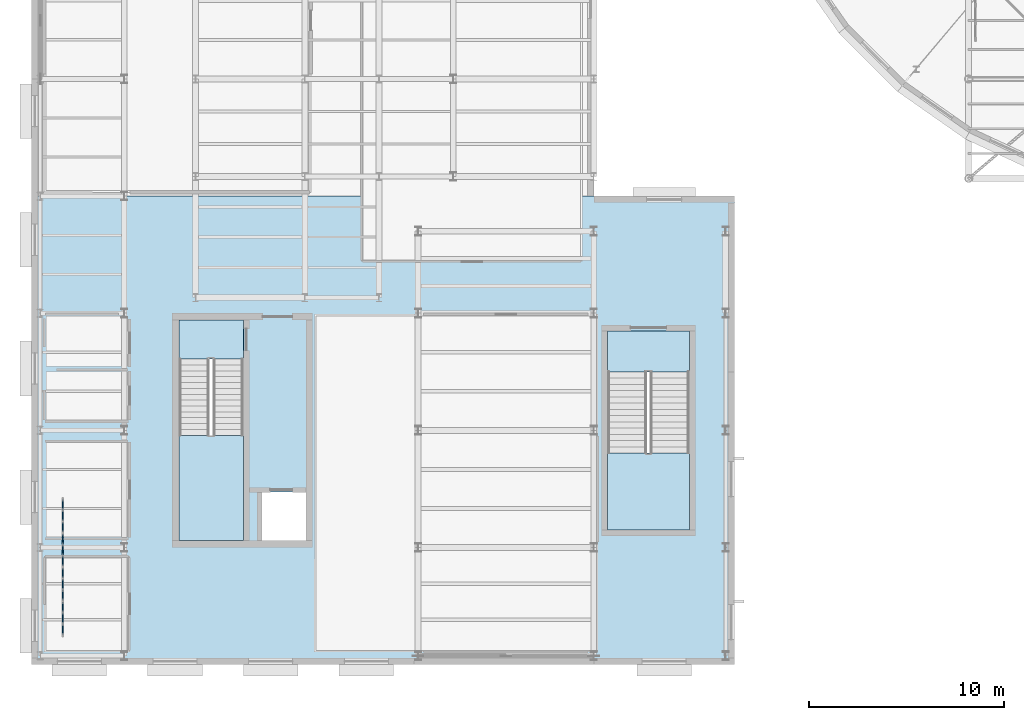
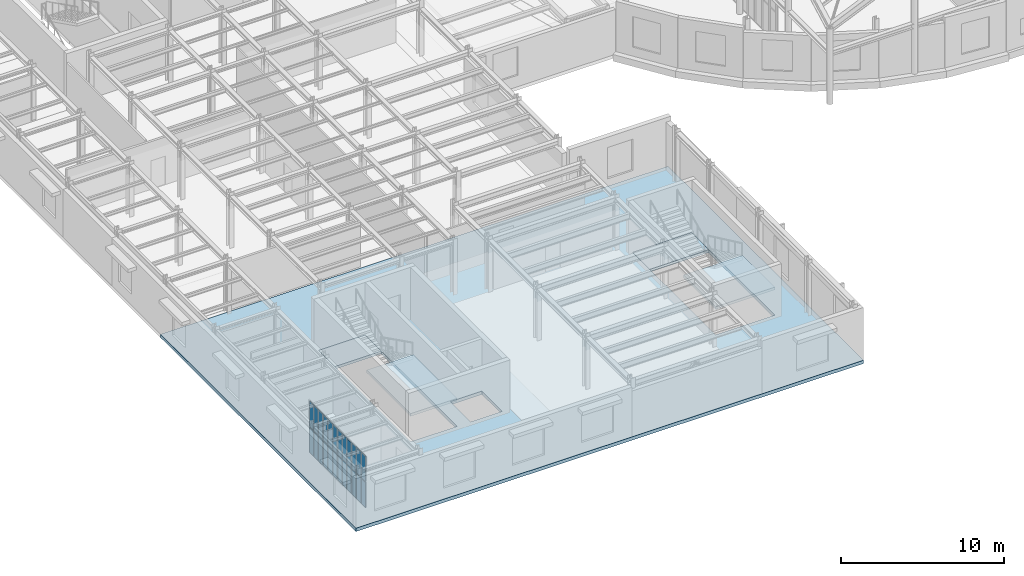
# One storey, part 50 of 75: 24 plates, 5 slabs, 6 elements without a shape of their own.
"""IFC4 building model written with IfcOpenShell, lengths in metres."""

from ifc_helpers import new_model, si_unit, direction, frame, origin, origin_2d, place, context, subcontext, project, spatial, polyline, rectangle, outline, extrude, material, layer, layer_set, type_object, element, aggregate, save


model = new_model("IFC4")

# Units and contexts
model_context = context("Model", 3, precision=1e-05, world=origin(), true_north=direction((0.0, 1.0)))
body_context = subcontext(model_context, "Body", "Model", "MODEL_VIEW")
ifc_project = project(units=[si_unit("LENGTHUNIT", "METRE"), si_unit("AREAUNIT", "SQUARE_METRE"), si_unit("VOLUMEUNIT", "CUBIC_METRE"), si_unit("PLANEANGLEUNIT", "RADIAN"), si_unit("MASSUNIT", "GRAM", prefix="KILO")], contexts=[model_context])

# Site, building, storey
site_placement = place(None, origin())
site = spatial("IfcSite", under=ifc_project, at=site_placement, CompositionType="ELEMENT")
building_placement = place(site_placement, origin())
building = spatial("IfcBuilding", under=site, at=building_placement, Name="Kolvaren Corner Interchange", CompositionType="ELEMENT")
storey_placement = place(building_placement, frame((0.0, 0.0, 10.5)))
storey = spatial("IfcBuildingStorey", under=building, at=storey_placement, Name="L03", CompositionType="ELEMENT", Elevation=10.5)

# Curtain wall, plates
ifc_material_1 = material(Name="Unitised Aluminium and Solar-Control Glass Curtain Wall", Category="aluminium")
curtain_wall_type = type_object("IfcCurtainWallType", Name="CW-V5-LOGGIA", PredefinedType="NOTDEFINED", material=ifc_material_1)
curtain_wall_1_placement = place(storey_placement, origin())
curtain_wall_1 = element("IfcCurtainWall", 1, at=curtain_wall_1_placement, inside=storey, type_object=curtain_wall_type, Name="Corner Loggia L03 Curtain Wall Bay 01", PredefinedType="NOTDEFINED")
ifc_material_2 = material(Name="Insulated Terracotta Spandrel Panel", Category="masonry")
ifc_layer_1 = layer(ifc_material_2, 0.052001953125)
ifc_layer_set_1 = layer_set([ifc_layer_1], Name="Insulated Terracotta Spandrel Panel")
plate_type = type_object("IfcPlateType", Name="PLT-CW-SP48", PredefinedType="SHEET", material=ifc_layer_set_1)
plate_1_placement = place(storey_placement, frame((1.60009765625, 1.806640625, 0.054931640625), z_axis=(0.0, 0.0, 1.0), x_axis=(0.0, 1.0, 0.0)))
plate_1 = element("IfcPlate", 2, at=plate_1_placement, type_object=plate_type, Name="CW-158 panel 1.1", PredefinedType="CURTAIN_PANEL", context=body_context, shape_type="SweptSolid", body=[
    extrude(rectangle(XDim=0.493408203125, YDim=0.052001953125, at=origin_2d()), origin(), (0.0, 0.0, 1.0), 1.87744140625),
])
plate_2_placement = place(storey_placement, frame((1.60009765625, 1.806640625, 1.987548828125), z_axis=(0.0, 0.0, 1.0), x_axis=(0.0, 1.0, 0.0)))
plate_2 = element("IfcPlate", 3, at=plate_2_placement, type_object=plate_type, Name="CW-158 panel 1.2", PredefinedType="CURTAIN_PANEL", context=body_context, shape_type="SweptSolid", body=[
    extrude(rectangle(XDim=0.493408203125, YDim=0.052001953125, at=origin_2d()), origin(), (0.0, 0.0, 1.0), 1.87744140625),
])
plate_3_placement = place(storey_placement, frame((1.60009765625, 2.375, 0.054931640625), z_axis=(0.0, 0.0, 1.0), x_axis=(0.0, 1.0, 0.0)))
plate_3 = element("IfcPlate", 4, at=plate_3_placement, type_object=plate_type, Name="CW-158 panel 2.1", PredefinedType="CURTAIN_PANEL", context=body_context, shape_type="SweptSolid", body=[
    extrude(rectangle(XDim=0.5234375, YDim=0.052001953125, at=origin_2d()), origin(), (0.0, 0.0, 1.0), 1.87744140625),
])
plate_4_placement = place(storey_placement, frame((1.60009765625, 2.375, 1.987548828125), z_axis=(0.0, 0.0, 1.0), x_axis=(0.0, 1.0, 0.0)))
plate_4 = element("IfcPlate", 5, at=plate_4_placement, type_object=plate_type, Name="CW-158 panel 2.2", PredefinedType="CURTAIN_PANEL", context=body_context, shape_type="SweptSolid", body=[
    extrude(rectangle(XDim=0.5234375, YDim=0.052001953125, at=origin_2d()), origin(), (0.0, 0.0, 1.0), 1.87744140625),
])
plate_5_placement = place(storey_placement, frame((1.60009765625, 2.943359375, 0.054931640625), z_axis=(0.0, 0.0, 1.0), x_axis=(0.0, 1.0, 0.0)))
plate_5 = element("IfcPlate", 6, at=plate_5_placement, type_object=plate_type, Name="CW-158 panel 3.1", PredefinedType="CURTAIN_PANEL", context=body_context, shape_type="SweptSolid", body=[
    extrude(rectangle(XDim=0.493408203125, YDim=0.052001953125, at=origin_2d()), origin(), (0.0, 0.0, 1.0), 1.87744140625),
])
plate_6_placement = place(storey_placement, frame((1.60009765625, 2.943359375, 1.987548828125), z_axis=(0.0, 0.0, 1.0), x_axis=(0.0, 1.0, 0.0)))
plate_6 = element("IfcPlate", 7, at=plate_6_placement, type_object=plate_type, Name="CW-158 panel 3.2", PredefinedType="CURTAIN_PANEL", context=body_context, shape_type="SweptSolid", body=[
    extrude(rectangle(XDim=0.493408203125, YDim=0.052001953125, at=origin_2d()), origin(), (0.0, 0.0, 1.0), 1.87744140625),
])
aggregate(curtain_wall_1, [plate_1, plate_2, plate_3, plate_4, plate_5, plate_6])

curtain_wall_2_placement = place(storey_placement, origin())
curtain_wall_2 = element("IfcCurtainWall", 8, at=curtain_wall_2_placement, inside=storey, type_object=curtain_wall_type, Name="Corner Loggia L03 Curtain Wall Bay 02", PredefinedType="NOTDEFINED")
plate_7_placement = place(storey_placement, frame((1.60009765625, 3.556640625, 0.054931640625), z_axis=(0.0, 0.0, 1.0), x_axis=(0.0, 1.0, 0.0)))
plate_7 = element("IfcPlate", 9, at=plate_7_placement, type_object=plate_type, Name="CW-159 panel 1.1", PredefinedType="CURTAIN_PANEL", context=body_context, shape_type="SweptSolid", body=[
    extrude(rectangle(XDim=0.493408203125, YDim=0.052001953125, at=origin_2d()), origin(), (0.0, 0.0, 1.0), 1.87744140625),
])
plate_8_placement = place(storey_placement, frame((1.60009765625, 3.556640625, 1.987548828125), z_axis=(0.0, 0.0, 1.0), x_axis=(0.0, 1.0, 0.0)))
plate_8 = element("IfcPlate", 10, at=plate_8_placement, type_object=plate_type, Name="CW-159 panel 1.2", PredefinedType="CURTAIN_PANEL", context=body_context, shape_type="SweptSolid", body=[
    extrude(rectangle(XDim=0.493408203125, YDim=0.052001953125, at=origin_2d()), origin(), (0.0, 0.0, 1.0), 1.87744140625),
])
plate_9_placement = place(storey_placement, frame((1.60009765625, 4.125, 0.054931640625), z_axis=(0.0, 0.0, 1.0), x_axis=(0.0, 1.0, 0.0)))
plate_9 = element("IfcPlate", 11, at=plate_9_placement, type_object=plate_type, Name="CW-159 panel 2.1", PredefinedType="CURTAIN_PANEL", context=body_context, shape_type="SweptSolid", body=[
    extrude(rectangle(XDim=0.5234375, YDim=0.052001953125, at=origin_2d()), origin(), (0.0, 0.0, 1.0), 1.87744140625),
])
plate_10_placement = place(storey_placement, frame((1.60009765625, 4.125, 1.987548828125), z_axis=(0.0, 0.0, 1.0), x_axis=(0.0, 1.0, 0.0)))
plate_10 = element("IfcPlate", 12, at=plate_10_placement, type_object=plate_type, Name="CW-159 panel 2.2", PredefinedType="CURTAIN_PANEL", context=body_context, shape_type="SweptSolid", body=[
    extrude(rectangle(XDim=0.5234375, YDim=0.052001953125, at=origin_2d()), origin(), (0.0, 0.0, 1.0), 1.87744140625),
])
plate_11_placement = place(storey_placement, frame((1.60009765625, 4.693359375, 0.054931640625), z_axis=(0.0, 0.0, 1.0), x_axis=(0.0, 1.0, 0.0)))
plate_11 = element("IfcPlate", 13, at=plate_11_placement, type_object=plate_type, Name="CW-159 panel 3.1", PredefinedType="CURTAIN_PANEL", context=body_context, shape_type="SweptSolid", body=[
    extrude(rectangle(XDim=0.493408203125, YDim=0.052001953125, at=origin_2d()), origin(), (0.0, 0.0, 1.0), 1.87744140625),
])
plate_12_placement = place(storey_placement, frame((1.60009765625, 4.693359375, 1.987548828125), z_axis=(0.0, 0.0, 1.0), x_axis=(0.0, 1.0, 0.0)))
plate_12 = element("IfcPlate", 14, at=plate_12_placement, type_object=plate_type, Name="CW-159 panel 3.2", PredefinedType="CURTAIN_PANEL", context=body_context, shape_type="SweptSolid", body=[
    extrude(rectangle(XDim=0.493408203125, YDim=0.052001953125, at=origin_2d()), origin(), (0.0, 0.0, 1.0), 1.87744140625),
])
aggregate(curtain_wall_2, [plate_7, plate_8, plate_9, plate_10, plate_11, plate_12])

curtain_wall_3_placement = place(storey_placement, origin())
curtain_wall_3 = element("IfcCurtainWall", 15, at=curtain_wall_3_placement, inside=storey, type_object=curtain_wall_type, Name="Corner Loggia L03 Curtain Wall Bay 03", PredefinedType="NOTDEFINED")
plate_13_placement = place(storey_placement, frame((1.60009765625, 5.306640625, 0.054931640625), z_axis=(0.0, 0.0, 1.0), x_axis=(0.0, 1.0, 0.0)))
plate_13 = element("IfcPlate", 16, at=plate_13_placement, type_object=plate_type, Name="CW-160 panel 1.1", PredefinedType="CURTAIN_PANEL", context=body_context, shape_type="SweptSolid", body=[
    extrude(rectangle(XDim=0.493408203125, YDim=0.052001953125, at=origin_2d()), origin(), (0.0, 0.0, 1.0), 1.87744140625),
])
plate_14_placement = place(storey_placement, frame((1.60009765625, 5.306640625, 1.987548828125), z_axis=(0.0, 0.0, 1.0), x_axis=(0.0, 1.0, 0.0)))
plate_14 = element("IfcPlate", 17, at=plate_14_placement, type_object=plate_type, Name="CW-160 panel 1.2", PredefinedType="CURTAIN_PANEL", context=body_context, shape_type="SweptSolid", body=[
    extrude(rectangle(XDim=0.493408203125, YDim=0.052001953125, at=origin_2d()), origin(), (0.0, 0.0, 1.0), 1.87744140625),
])
plate_15_placement = place(storey_placement, frame((1.60009765625, 5.875, 0.054931640625), z_axis=(0.0, 0.0, 1.0), x_axis=(0.0, 1.0, 0.0)))
plate_15 = element("IfcPlate", 18, at=plate_15_placement, type_object=plate_type, Name="CW-160 panel 2.1", PredefinedType="CURTAIN_PANEL", context=body_context, shape_type="SweptSolid", body=[
    extrude(rectangle(XDim=0.5234375, YDim=0.052001953125, at=origin_2d()), origin(), (0.0, 0.0, 1.0), 1.87744140625),
])
plate_16_placement = place(storey_placement, frame((1.60009765625, 5.875, 1.987548828125), z_axis=(0.0, 0.0, 1.0), x_axis=(0.0, 1.0, 0.0)))
plate_16 = element("IfcPlate", 19, at=plate_16_placement, type_object=plate_type, Name="CW-160 panel 2.2", PredefinedType="CURTAIN_PANEL", context=body_context, shape_type="SweptSolid", body=[
    extrude(rectangle(XDim=0.5234375, YDim=0.052001953125, at=origin_2d()), origin(), (0.0, 0.0, 1.0), 1.87744140625),
])
plate_17_placement = place(storey_placement, frame((1.60009765625, 6.443359375, 0.054931640625), z_axis=(0.0, 0.0, 1.0), x_axis=(0.0, 1.0, 0.0)))
plate_17 = element("IfcPlate", 20, at=plate_17_placement, type_object=plate_type, Name="CW-160 panel 3.1", PredefinedType="CURTAIN_PANEL", context=body_context, shape_type="SweptSolid", body=[
    extrude(rectangle(XDim=0.493408203125, YDim=0.052001953125, at=origin_2d()), origin(), (0.0, 0.0, 1.0), 1.87744140625),
])
plate_18_placement = place(storey_placement, frame((1.60009765625, 6.443359375, 1.987548828125), z_axis=(0.0, 0.0, 1.0), x_axis=(0.0, 1.0, 0.0)))
plate_18 = element("IfcPlate", 21, at=plate_18_placement, type_object=plate_type, Name="CW-160 panel 3.2", PredefinedType="CURTAIN_PANEL", context=body_context, shape_type="SweptSolid", body=[
    extrude(rectangle(XDim=0.493408203125, YDim=0.052001953125, at=origin_2d()), origin(), (0.0, 0.0, 1.0), 1.87744140625),
])
aggregate(curtain_wall_3, [plate_13, plate_14, plate_15, plate_16, plate_17, plate_18])

curtain_wall_4_placement = place(storey_placement, origin())
curtain_wall_4 = element("IfcCurtainWall", 22, at=curtain_wall_4_placement, inside=storey, type_object=curtain_wall_type, Name="Corner Loggia L03 Curtain Wall Bay 04", PredefinedType="NOTDEFINED")
plate_19_placement = place(storey_placement, frame((1.60009765625, 7.056640625, 0.054931640625), z_axis=(0.0, 0.0, 1.0), x_axis=(0.0, 1.0, 0.0)))
plate_19 = element("IfcPlate", 23, at=plate_19_placement, type_object=plate_type, Name="CW-161 panel 1.1", PredefinedType="CURTAIN_PANEL", context=body_context, shape_type="SweptSolid", body=[
    extrude(rectangle(XDim=0.493408203125, YDim=0.052001953125, at=origin_2d()), origin(), (0.0, 0.0, 1.0), 1.87744140625),
])
plate_20_placement = place(storey_placement, frame((1.60009765625, 7.056640625, 1.987548828125), z_axis=(0.0, 0.0, 1.0), x_axis=(0.0, 1.0, 0.0)))
plate_20 = element("IfcPlate", 24, at=plate_20_placement, type_object=plate_type, Name="CW-161 panel 1.2", PredefinedType="CURTAIN_PANEL", context=body_context, shape_type="SweptSolid", body=[
    extrude(rectangle(XDim=0.493408203125, YDim=0.052001953125, at=origin_2d()), origin(), (0.0, 0.0, 1.0), 1.87744140625),
])
plate_21_placement = place(storey_placement, frame((1.60009765625, 7.625, 0.054931640625), z_axis=(0.0, 0.0, 1.0), x_axis=(0.0, 1.0, 0.0)))
plate_21 = element("IfcPlate", 25, at=plate_21_placement, type_object=plate_type, Name="CW-161 panel 2.1", PredefinedType="CURTAIN_PANEL", context=body_context, shape_type="SweptSolid", body=[
    extrude(rectangle(XDim=0.5234375, YDim=0.052001953125, at=origin_2d()), origin(), (0.0, 0.0, 1.0), 1.87744140625),
])
plate_22_placement = place(storey_placement, frame((1.60009765625, 7.625, 1.987548828125), z_axis=(0.0, 0.0, 1.0), x_axis=(0.0, 1.0, 0.0)))
plate_22 = element("IfcPlate", 26, at=plate_22_placement, type_object=plate_type, Name="CW-161 panel 2.2", PredefinedType="CURTAIN_PANEL", context=body_context, shape_type="SweptSolid", body=[
    extrude(rectangle(XDim=0.5234375, YDim=0.052001953125, at=origin_2d()), origin(), (0.0, 0.0, 1.0), 1.87744140625),
])
plate_23_placement = place(storey_placement, frame((1.60009765625, 8.193359375, 0.054931640625), z_axis=(0.0, 0.0, 1.0), x_axis=(0.0, 1.0, 0.0)))
plate_23 = element("IfcPlate", 27, at=plate_23_placement, type_object=plate_type, Name="CW-161 panel 3.1", PredefinedType="CURTAIN_PANEL", context=body_context, shape_type="SweptSolid", body=[
    extrude(rectangle(XDim=0.493408203125, YDim=0.052001953125, at=origin_2d()), origin(), (0.0, 0.0, 1.0), 1.87744140625),
])
plate_24_placement = place(storey_placement, frame((1.60009765625, 8.193359375, 1.987548828125), z_axis=(0.0, 0.0, 1.0), x_axis=(0.0, 1.0, 0.0)))
plate_24 = element("IfcPlate", 28, at=plate_24_placement, type_object=plate_type, Name="CW-161 panel 3.2", PredefinedType="CURTAIN_PANEL", context=body_context, shape_type="SweptSolid", body=[
    extrude(rectangle(XDim=0.493408203125, YDim=0.052001953125, at=origin_2d()), origin(), (0.0, 0.0, 1.0), 1.87744140625),
])
aggregate(curtain_wall_4, [plate_19, plate_20, plate_21, plate_22, plate_23, plate_24])

# Slabs
ifc_material_3 = material(Name="Concrete C35/45", Category="concrete")
ifc_layer_2 = layer(ifc_material_3, 0.25)
ifc_layer_set_2 = layer_set([ifc_layer_2], Name="Concrete C35/45")
slab_type_1 = type_object("IfcSlabType", Name="SL-COMP-250", PredefinedType="FLOOR", material=ifc_layer_set_2)
slab_1_placement = place(storey_placement, frame((0.0, 0.0, -0.25)))
element("IfcSlab", 29, at=slab_1_placement, inside=storey, type_object=slab_type_1, Name="Level 03 Administration South Wing Floor Slab", PredefinedType="FLOOR", context=body_context, shape_type="SweptSolid", body=[
    extrude(outline(polyline([(36.0, 0.0), (36.0, 24.0), (0.0, 24.0), (0.0, 0.0), (36.0, 0.0)]), holes=[polyline([(7.550048828125, 6.35009765625), (7.550048828125, 17.64990234375), (10.85009765625, 17.64990234375), (10.85009765625, 6.35009765625), (7.550048828125, 6.35009765625)]), polyline([(33.699951171875, 6.89990234375), (29.5, 6.89990234375), (29.5, 17.10009765625), (33.699951171875, 17.10009765625), (33.699951171875, 6.89990234375)]), polyline([(11.800048828125, 8.85009765625), (14.050048828125, 8.85009765625), (14.050048828125, 6.35009765625), (11.800048828125, 6.35009765625), (11.800048828125, 8.85009765625)])]), origin(), (0.0, 0.0, 1.0), 0.25),
])
ifc_material_4 = material(Name="Concrete C35/45", Category="concrete")
ifc_layer_3 = layer(ifc_material_4, 0.199951171875)
ifc_layer_set_3 = layer_set([ifc_layer_3], Name="Concrete C35/45")
slab_type_2 = type_object("IfcSlabType", Name="SL-STAIR-LAND200", PredefinedType="LANDING", material=ifc_layer_set_3)
slab_2_placement = place(storey_placement, frame((0.0, 0.0, -0.199951171875)))
element("IfcSlab", 30, at=slab_2_placement, inside=storey, type_object=slab_type_2, Name="Core C1 Southwest Firefighting Stair L03 Floor Arrival Landing Slab", PredefinedType="LANDING", context=body_context, shape_type="SweptSolid", body=[
    extrude(outline(polyline([(7.550048828125, 17.64990234375), (7.550048828125, 15.64990234375), (10.85009765625, 15.64990234375), (10.85009765625, 17.64990234375), (7.550048828125, 17.64990234375)])), origin(), (0.0, 0.0, 1.0), 0.199951171875),
])

# Stair, slab
ifc_material_5 = material(Name="Concrete C35/45", Category="concrete")
stair_type_1 = type_object("IfcStairType", Name="ST-FF-1550", PredefinedType="HALF_TURN_STAIR", material=ifc_material_5)
stair_1_placement = place(storey_placement, origin())
stair_1 = element("IfcStair", 31, at=stair_1_placement, inside=storey, type_object=stair_type_1, Name="Core C1 Southwest Firefighting Stair L03 to L04 Stair", PredefinedType="HALF_TURN_STAIR")
slab_3_placement = place(storey_placement, frame((0.0, 0.0, 1.89990234375)))
slab_3 = element("IfcSlab", 32, at=slab_3_placement, type_object=slab_type_2, Name="Core C1 Southwest Firefighting Stair L03 Intermediate Half Landing Slab", PredefinedType="LANDING", context=body_context, shape_type="SweptSolid", body=[
    extrude(outline(polyline([(7.550048828125, 11.75), (7.550048828125, 6.35009765625), (10.85009765625, 6.35009765625), (10.85009765625, 11.75), (7.550048828125, 11.75)])), origin(), (0.0, 0.0, 1.0), 0.2001953125),
])
aggregate(stair_1, [slab_3])

# Slab
slab_4_placement = place(storey_placement, frame((0.0, 0.0, -0.199951171875)))
element("IfcSlab", 33, at=slab_4_placement, inside=storey, type_object=slab_type_2, Name="Operations South Bar Protected Exit Stair L03 Floor Arrival Landing Slab", PredefinedType="LANDING", context=body_context, shape_type="SweptSolid", body=[
    extrude(outline(polyline([(29.5, 17.10009765625), (29.5, 15.0), (33.699951171875, 15.0), (33.699951171875, 17.10009765625), (29.5, 17.10009765625)])), origin(), (0.0, 0.0, 1.0), 0.199951171875),
])

# Stair, slab
ifc_material_6 = material(Name="Concrete C35/45", Category="concrete")
stair_type_2 = type_object("IfcStairType", Name="ST-GL-2000", PredefinedType="HALF_TURN_STAIR", material=ifc_material_6)
stair_2_placement = place(storey_placement, origin())
stair_2 = element("IfcStair", 34, at=stair_2_placement, inside=storey, type_object=stair_type_2, Name="Operations South Bar Protected Exit Stair L03 to L04 Stair", PredefinedType="HALF_TURN_STAIR")
slab_5_placement = place(storey_placement, frame((0.0, 0.0, 1.89990234375)))
slab_5 = element("IfcSlab", 35, at=slab_5_placement, type_object=slab_type_2, Name="Operations South Bar Protected Exit Stair L03 Intermediate Half Landing Slab", PredefinedType="LANDING", context=body_context, shape_type="SweptSolid", body=[
    extrude(outline(polyline([(29.5, 10.840087890625), (29.5, 6.89990234375), (33.699951171875, 6.89990234375), (33.699951171875, 10.840087890625), (29.5, 10.840087890625)])), origin(), (0.0, 0.0, 1.0), 0.2001953125),
])
aggregate(stair_2, [slab_5])

save(model, "model.ifc")
